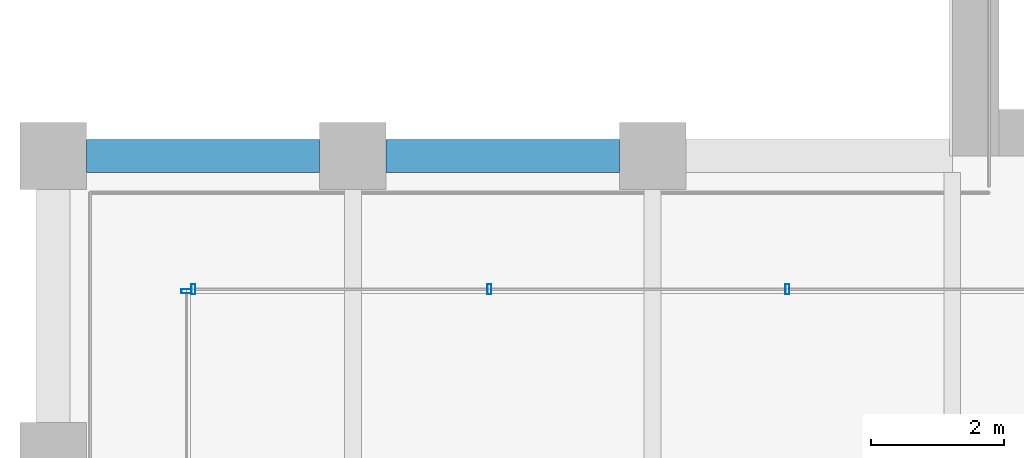
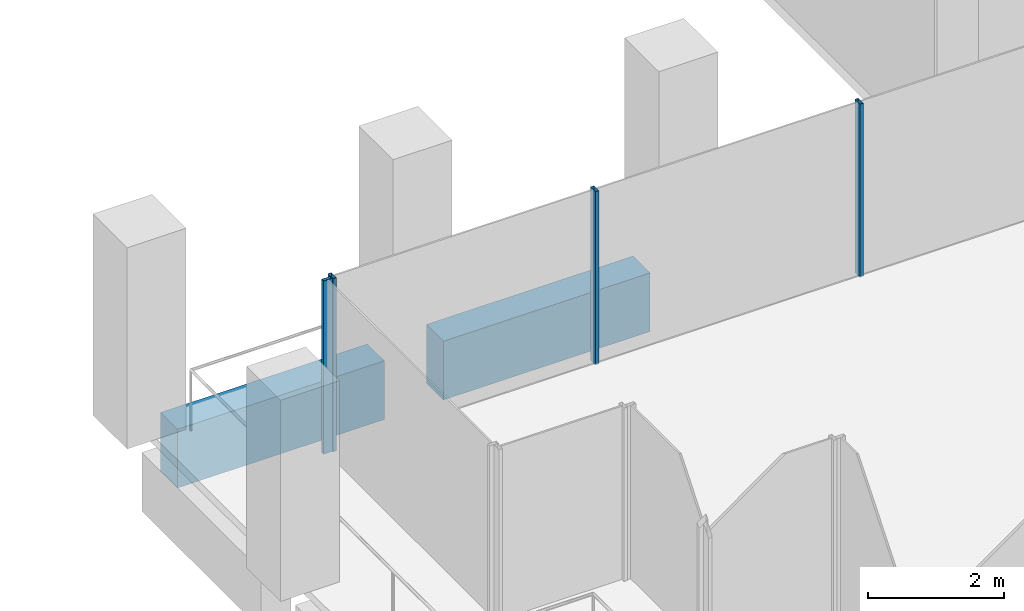
# One storey, part 5 of 46: 4 members, 2 beams, 2 elements without a shape of their own.
"""IFC4 building model written with IfcOpenShell, lengths in metres."""

from ifc_helpers import new_model, si_unit, direction, frame, origin, origin_2d, place, context, subcontext, project, spatial, rectangle, hollow_rectangle, extrude, material, material_profile, profile_set, type_object, element, aggregate, save


model = new_model("IFC4")

# Units and contexts
model_context = context("Model", 3, precision=1e-05, world=origin(), true_north=direction((0.0, 1.0)))
body_context = subcontext(model_context, "Body", "Model", "MODEL_VIEW")
ifc_project = project(units=[si_unit("LENGTHUNIT", "METRE"), si_unit("AREAUNIT", "SQUARE_METRE"), si_unit("VOLUMEUNIT", "CUBIC_METRE"), si_unit("PLANEANGLEUNIT", "RADIAN"), si_unit("MASSUNIT", "GRAM", prefix="KILO")], contexts=[model_context])

# Site, building, storey
site_placement = place(None, origin())
site = spatial("IfcSite", under=ifc_project, at=site_placement, CompositionType="ELEMENT")
building_placement = place(site_placement, origin())
building = spatial("IfcBuilding", under=site, at=building_placement, Name="Altepetl Exchange Towers", CompositionType="ELEMENT")
storey_placement = place(building_placement, frame((0.0, 0.0, 106.39990234375)))
storey = spatial("IfcBuildingStorey", under=building, at=storey_placement, Name="L26", CompositionType="ELEMENT", Elevation=106.39990234375)

# Curtain wall, members
ifc_material_1 = material(Name="Aluminium 6063-T6 glazing", Category="aluminium")
curtain_wall_type = type_object("IfcCurtainWallType", Name="Loggia glazing system", PredefinedType="NOTDEFINED", material=ifc_material_1)
curtain_wall_1_placement = place(storey_placement, origin())
curtain_wall_1 = element("IfcCurtainWall", 1, at=curtain_wall_1_placement, inside=storey, type_object=curtain_wall_type, Name="CW1 run", PredefinedType="NOTDEFINED")
ifc_material_2 = material(Name="Aluminium 6063-T6", Category="aluminium")
ifc_material_profile_1 = material_profile(ifc_material_2, hollow_rectangle(XDim=0.06005859375, YDim=0.14990234375, WallThickness=0.0029296875, at=origin_2d()), Name="Mullion 60x150 aluminium")
ifc_profile_set_1 = profile_set([ifc_material_profile_1], Name="Aluminium 6063-T6")
member_type = type_object("IfcMemberType", Name="Mullion 60x150 aluminium", PredefinedType="MULLION", material=ifc_profile_set_1)
member_1_placement = place(storey_placement, frame((38.02490234375, 38.5, 0.0), z_axis=(0.0, 0.0, 1.0), x_axis=(-1.0, 0.0, 0.0)))
member_1 = element("IfcMember", 2, at=member_1_placement, type_object=member_type, Name="MU1 mullion", PredefinedType="MULLION", context=body_context, shape_type="SweptSolid", body=[
    extrude(hollow_rectangle(XDim=0.06005859375, YDim=0.14990234375, WallThickness=0.0029296875, at=origin_2d()), origin(), (0.0, 0.0, 1.0), 3.10009765625),
])
member_2_placement = place(storey_placement, frame((33.550048828125, 38.5, 0.0), z_axis=(0.0, 0.0, 1.0), x_axis=(-1.0, 0.0, 0.0)))
member_2 = element("IfcMember", 3, at=member_2_placement, type_object=member_type, Name="MU1 mullion", PredefinedType="MULLION", context=body_context, shape_type="SweptSolid", body=[
    extrude(hollow_rectangle(XDim=0.06005859375, YDim=0.14990234375, WallThickness=0.0029296875, at=origin_2d()), origin(), (0.0, 0.0, 1.0), 3.10009765625),
])
member_3_placement = place(storey_placement, frame((29.10498046875, 38.5, 0.0), z_axis=(0.0, 0.0, 1.0), x_axis=(-1.0, 0.0, 0.0)))
member_3 = element("IfcMember", 4, at=member_3_placement, type_object=member_type, Name="MU1 mullion", PredefinedType="MULLION", context=body_context, shape_type="SweptSolid", body=[
    extrude(hollow_rectangle(XDim=0.06005859375, YDim=0.14990234375, WallThickness=0.0029296875, at=origin_2d()), origin(), (0.0, 0.0, 1.0), 3.10009765625),
])
aggregate(curtain_wall_1, [member_1, member_2, member_3])

# Curtain wall, member
curtain_wall_2_placement = place(storey_placement, origin())
curtain_wall_2 = element("IfcCurtainWall", 5, at=curtain_wall_2_placement, inside=storey, type_object=curtain_wall_type, Name="CW1 run", PredefinedType="NOTDEFINED")
member_4_placement = place(storey_placement, frame((29.0, 38.469970703125, 0.0), z_axis=(0.0, 0.0, 1.0), x_axis=(0.0, -1.0, 0.0)))
member_4 = element("IfcMember", 6, at=member_4_placement, type_object=member_type, Name="MU1 mullion", PredefinedType="MULLION", context=body_context, shape_type="SweptSolid", body=[
    extrude(hollow_rectangle(XDim=0.06005859375, YDim=0.14990234375, WallThickness=0.0029296875, at=origin_2d()), origin(), (0.0, 0.0, 1.0), 3.10009765625),
])
aggregate(curtain_wall_2, [member_4])

# Beams
ifc_material_3 = material(Name="Concrete C50/60 precast with tezontle facing", Category="concrete")
ifc_material_profile_2 = material_profile(ifc_material_3, rectangle(XDim=0.5, YDim=1.050048828125, at=origin_2d()), Name="500 x 1050")
ifc_profile_set_2 = profile_set([ifc_material_profile_2], Name="Concrete C50/60 precast with tezontle facing")
beam_type = type_object("IfcBeamType", Name="Spandrel beam 500x1050 tezontle", PredefinedType="SPANDREL", material=ifc_profile_set_2)
for number, where, z_axis, x_axis, name in (
    (7, (35.5, 40.5, -0.6748046875), (-1.0, 0.0, 0.0), (0.0, -1.0, 0.0), "sp:A:L26:034"),
    (8, (31.0, 40.5, -0.6748046875), (-1.0, 0.0, 0.0), (0.0, -1.0, 0.0), "sp:A:L26:035"),
):
    element("IfcBeam", number, at=place(storey_placement, frame(where, z_axis=z_axis, x_axis=x_axis)), inside=storey, type_object=beam_type, Name=name, PredefinedType="SPANDREL", context=body_context, shape_type="SweptSolid", body=[
        extrude(rectangle(XDim=0.5, YDim=1.050048828125, at=origin_2d()), origin(), (0.0, 0.0, 1.0), 3.5),
    ])

save(model, "model.ifc")
